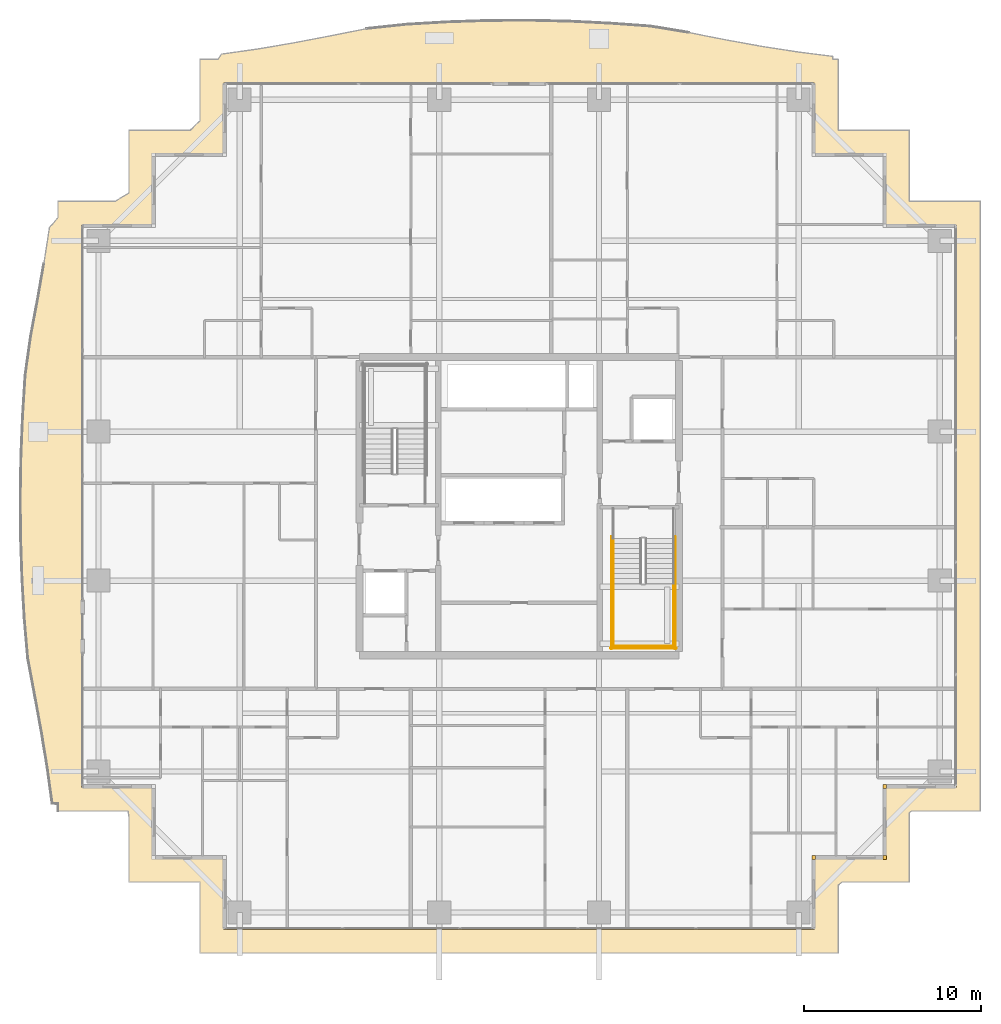
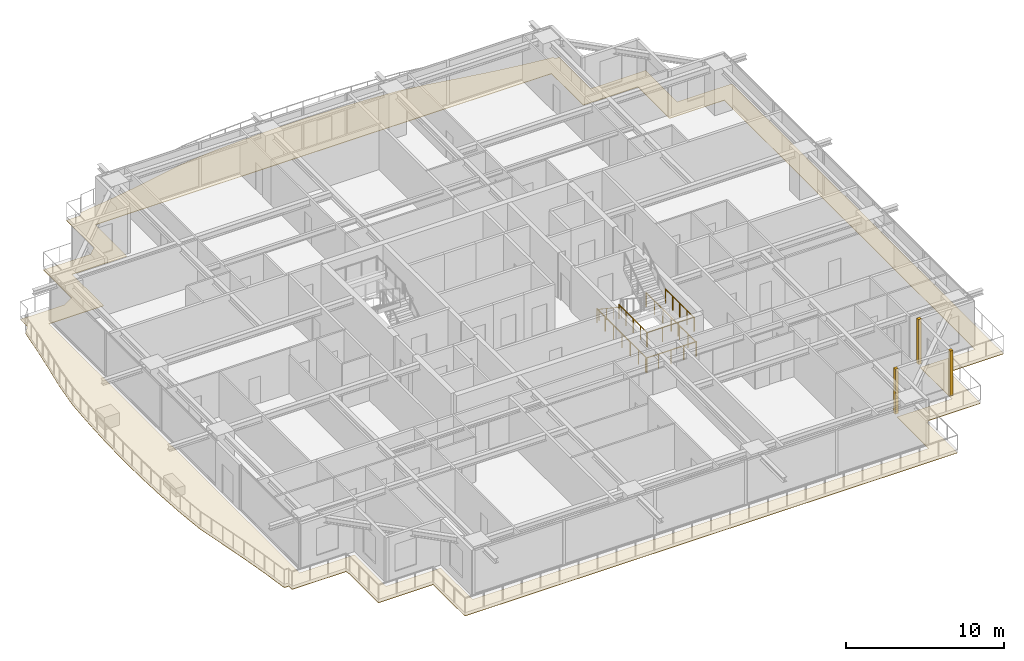
# One storey, part 36 of 38: 7 railings, 4 coverings.
"""IFC4 building model written with IfcOpenShell, lengths in metres."""

from ifc_helpers import new_model, si_unit, direction, frame, origin, origin_2d, place, context, subcontext, project, spatial, polyline, rectangle, circle, outline, extrude, source, transform, mapped, material, layer, layer_set, type_object, element, save


model = new_model("IFC4")

# Units and contexts
model_context = context("Model", 3, precision=1e-05, world=origin(), true_north=direction((0.0, 1.0)))
body_context = subcontext(model_context, "Body", "Model", "MODEL_VIEW")
ifc_project = project(units=[si_unit("LENGTHUNIT", "METRE"), si_unit("AREAUNIT", "SQUARE_METRE"), si_unit("VOLUMEUNIT", "CUBIC_METRE"), si_unit("PLANEANGLEUNIT", "RADIAN"), si_unit("MASSUNIT", "GRAM", prefix="KILO")], contexts=[model_context])

# Site, building, storey
site_placement = place(None, origin())
site = spatial("IfcSite", under=ifc_project, at=site_placement, CompositionType="ELEMENT")
building_placement = place(site_placement, origin())
building = spatial("IfcBuilding", under=site, at=building_placement, Name="Serunith Strait Residences", CompositionType="ELEMENT")
storey_placement = place(building_placement, frame((0.0, 0.0, 183.89990234375)))
storey = spatial("IfcBuildingStorey", under=building, at=storey_placement, Name="L46", CompositionType="ELEMENT", Elevation=183.89990234375)

# Covering
ifc_material_1 = material(Name="Golden Teak Exterior Timber Boarding", Category="wood")
ifc_layer_1 = layer(ifc_material_1, 0.034912109375, Name="Golden Teak Exterior Timber Boarding")
ifc_layer_set_1 = layer_set([ifc_layer_1], Name="Golden Teak Exterior Timber Boarding")
covering_type_1 = type_object("IfcCoveringType", Name="COV-TEAK-SOFFIT", PredefinedType="CEILING", material=ifc_layer_set_1)
covering_placement = place(storey_placement, frame((0.0, 0.0, -0.324951171875)))
element("IfcCovering", 1, at=covering_placement, inside=storey, type_object=covering_type_1, Name="L46 Golden-Teak Balcony Soffit Lining", PredefinedType="CEILING", context=body_context, shape_type="SweptSolid", body=[
    extrude(outline(polyline([(6.419921875, 8.02001953125), (6.419921875, 8.428955078125), (6.095458984375, 8.44775390625), (5.81884765625, 10.45068359375), (5.48828125, 12.473388671875), (5.11328125, 14.532958984375), (4.716796875, 16.6474609375), (4.5234375, 18.873046875), (4.396728515625, 21.139892578125), (4.319580078125, 23.4306640625), (4.29931640625, 25.733154296875), (4.337890625, 28.03271484375), (4.431884765625, 30.316162109375), (4.572021484375, 32.57177734375), (4.874755859375, 34.748046875), (5.265625, 36.8369140625), (5.6240234375, 38.878173828125), (5.9326171875, 40.890380859375), (6.419921875, 41.4619140625), (6.419921875, 42.3798828125), (9.64501953125, 42.3798828125), (10.419921875, 42.843505859375), (10.419921875, 46.3798828125), (13.869140625, 46.3798828125), (14.419921875, 46.910888671875), (14.419921875, 50.3798828125), (15.426513671875, 50.3798828125), (15.6337890625, 50.67041015625), (17.630859375, 50.951416015625), (19.646240234375, 51.292236328125), (21.698486328125, 51.684814453125), (23.808349609375, 52.10546875), (26.032958984375, 52.341064453125), (28.3125, 52.47607421875), (30.618408203125, 52.554443359375), (32.9365234375, 52.56787109375), (35.25, 52.514892578125), (37.543212890625, 52.401611328125), (39.803466796875, 52.23876953125), (41.96728515625, 51.883544921875), (44.0458984375, 51.472412109375), (46.07763671875, 51.10400390625), (48.082275390625, 50.79345703125), (50.075927734375, 50.54248046875), (50.074462890625, 50.3798828125), (50.3798828125, 50.3798828125), (50.3798828125, 46.3798828125), (54.3798828125, 46.3798828125), (54.3798828125, 42.3798828125), (58.3798828125, 42.3798828125), (58.3798828125, 8.02001953125), (54.51513671875, 8.02001953125), (54.3798828125, 7.921875), (54.3798828125, 4.02001953125), (50.601806640625, 4.02001953125), (50.3798828125, 3.8408203125), (50.3798828125, 0.02001953125), (14.419921875, 0.02001953125), (14.419921875, 4.02001953125), (10.419921875, 4.02001953125), (10.419921875, 7.667724609375), (10.3681640625, 8.02001953125), (6.419921875, 8.02001953125)]), holes=[polyline([(49.054931640625, 1.344970703125), (49.054931640625, 5.344970703125), (53.054931640625, 5.344970703125), (53.054931640625, 9.344970703125), (57.054931640625, 9.344970703125), (57.054931640625, 41.054931640625), (53.054931640625, 41.054931640625), (53.054931640625, 45.054931640625), (49.054931640625, 45.054931640625), (49.054931640625, 49.054931640625), (15.7451171875, 49.054931640625), (15.7451171875, 45.054931640625), (11.7451171875, 45.054931640625), (11.7451171875, 41.054931640625), (7.7451171875, 41.054931640625), (7.7451171875, 9.344970703125), (11.7451171875, 9.344970703125), (11.7451171875, 5.344970703125), (15.7451171875, 5.344970703125), (15.7451171875, 1.344970703125), (49.054931640625, 1.344970703125)])]), origin(), (0.0, 0.0, 1.0), 0.03515625),
])

# Railings
ifc_material_2 = material(Name="Brushed stainless steel 316L", Category="steel")
railing_type_1 = type_object("IfcRailingType", Name="RLG-STAIR-GUARD", PredefinedType="BALUSTRADE", material=ifc_material_2)
for number, where, name in (
    (2, (37.699951171875, 20.85009765625, 1.875), "L46 ST-2 stair guard 3"),
    (3, (41.10009765625, 20.85009765625, 1.875), "L46 ST-2 stair guard 4"),
):
    element("IfcRailing", number, at=place(storey_placement, frame(where)), inside=storey, type_object=railing_type_1, Name=name, PredefinedType="BALUSTRADE", context=body_context, shape_type="SweptSolid", body=[
        extrude(circle(Radius=0.02392578125, at=origin_2d()), frame((0.0, -0.001953125, 1.076171875), z_axis=(0.0, -1.0, 0.0), x_axis=(1.0, 0.0, 0.0)), (0.0, 0.0, 1.0), 3.59619140625),
        extrude(circle(Radius=0.02099609375, at=origin_2d()), origin(), (0.0, 0.0, 1.0), 1.050048828125),
        extrude(circle(Radius=0.02099609375, at=origin_2d()), frame((0.0, -0.89990234375, 0.0)), (0.0, 0.0, 1.0), 1.050048828125),
        extrude(circle(Radius=0.02099609375, at=origin_2d()), frame((0.0, -1.800048828125, 0.0)), (0.0, 0.0, 1.0), 1.050048828125),
        extrude(circle(Radius=0.02099609375, at=origin_2d()), frame((0.0, -2.7001953125, 0.0)), (0.0, 0.0, 1.0), 1.050048828125),
        extrude(circle(Radius=0.02099609375, at=origin_2d()), frame((0.0, -3.60009765625, 0.0)), (0.0, 0.0, 1.0), 1.050048828125),
    ])
railing_1_placement = place(storey_placement, frame((37.64990234375, 17.300048828125, 1.875)))
element("IfcRailing", 4, at=railing_1_placement, inside=storey, type_object=railing_type_1, Name="L46 ST-2 stair guard 5", PredefinedType="BALUSTRADE", context=body_context, shape_type="SweptSolid", body=[
    extrude(circle(Radius=0.02392578125, at=origin_2d()), frame((0.001953125, 0.0, 1.076171875), z_axis=(1.0, 0.0, 0.0), x_axis=(0.0, 1.0, 0.0)), (0.0, 0.0, 1.0), 3.49609375),
    extrude(circle(Radius=0.02099609375, at=origin_2d()), origin(), (0.0, 0.0, 1.0), 1.050048828125),
    extrude(circle(Radius=0.02099609375, at=origin_2d()), frame((1.166748046875, 0.0, 0.0)), (0.0, 0.0, 1.0), 1.050048828125),
    extrude(circle(Radius=0.02099609375, at=origin_2d()), frame((2.333251953125, 0.0, 0.0)), (0.0, 0.0, 1.0), 1.050048828125),
    extrude(circle(Radius=0.02099609375, at=origin_2d()), frame((3.5, 0.0, 0.0)), (0.0, 0.0, 1.0), 1.050048828125),
])
for number, where, name in (
    (5, (37.60009765625, 23.469970703125, 0.0), "L46 ST-2 stair guard 10"),
    (6, (41.199951171875, 23.469970703125, 0.0), "L46 ST-2 stair guard 11"),
):
    element("IfcRailing", number, at=place(storey_placement, frame(where)), inside=storey, type_object=railing_type_1, Name=name, PredefinedType="BALUSTRADE", context=body_context, shape_type="SweptSolid", body=[
        extrude(circle(Radius=0.02392578125, at=origin_2d()), frame((0.0, -0.001953125, 1.076171875), z_axis=(0.0, -1.0, 0.0), x_axis=(1.0, 0.0, 0.0)), (0.0, 0.0, 1.0), 6.316162109375),
        extrude(circle(Radius=0.02099609375, at=origin_2d()), origin(), (0.0, 0.0, 1.0), 1.050048828125),
        extrude(circle(Radius=0.02099609375, at=origin_2d()), frame((0.0, -1.05322265625, 0.0)), (0.0, 0.0, 1.0), 1.050048828125),
        extrude(circle(Radius=0.02099609375, at=origin_2d()), frame((0.0, -2.106689453125, 0.0)), (0.0, 0.0, 1.0), 1.050048828125),
        extrude(circle(Radius=0.02099609375, at=origin_2d()), frame((0.0, -3.16015625, 0.0)), (0.0, 0.0, 1.0), 1.050048828125),
        extrude(circle(Radius=0.02099609375, at=origin_2d()), frame((0.0, -4.21337890625, 0.0)), (0.0, 0.0, 1.0), 1.050048828125),
        extrude(circle(Radius=0.02099609375, at=origin_2d()), frame((0.0, -5.2666015625, 0.0)), (0.0, 0.0, 1.0), 1.050048828125),
        extrude(circle(Radius=0.02099609375, at=origin_2d()), frame((0.0, -6.320068359375, 0.0)), (0.0, 0.0, 1.0), 1.050048828125),
    ])
railing_2_placement = place(storey_placement, frame((37.550048828125, 17.199951171875, 0.0)))
element("IfcRailing", 7, at=railing_2_placement, inside=storey, type_object=railing_type_1, Name="L46 ST-2 stair guard 12", PredefinedType="BALUSTRADE", context=body_context, shape_type="SweptSolid", body=[
    extrude(circle(Radius=0.02392578125, at=origin_2d()), frame((0.001953125, 0.0, 1.076171875), z_axis=(1.0, 0.0, 0.0), x_axis=(0.0, 1.0, 0.0)), (0.0, 0.0, 1.0), 3.696044921875),
    extrude(circle(Radius=0.02099609375, at=origin_2d()), origin(), (0.0, 0.0, 1.0), 1.050048828125),
    extrude(circle(Radius=0.02099609375, at=origin_2d()), frame((0.925048828125, 0.0, 0.0)), (0.0, 0.0, 1.0), 1.050048828125),
    extrude(circle(Radius=0.02099609375, at=origin_2d()), frame((1.85009765625, 0.0, 0.0)), (0.0, 0.0, 1.0), 1.050048828125),
    extrude(circle(Radius=0.02099609375, at=origin_2d()), frame((2.77490234375, 0.0, 0.0)), (0.0, 0.0, 1.0), 1.050048828125),
    extrude(circle(Radius=0.02099609375, at=origin_2d()), frame((3.699951171875, 0.0, 0.0)), (0.0, 0.0, 1.0), 1.050048828125),
])
railing_type_2 = type_object("IfcRailingType", Name="RLG-STAIR-HR", PredefinedType="HANDRAIL", material=ifc_material_2)
railing_3_placement = place(storey_placement, frame((37.699951171875, 23.3701171875, 0.1875)))
element("IfcRailing", 8, at=railing_3_placement, inside=storey, type_object=railing_type_2, Name="L46 ST-2 stair handrail 1", PredefinedType="HANDRAIL", context=body_context, shape_type="SweptSolid", body=[
    extrude(circle(Radius=0.02392578125, at=origin_2d()), frame((0.0, -0.001708984375, 0.876953125), z_axis=(0.0, -0.830208209119, 0.557453432594), x_axis=(1.0, 0.0, 0.0)), (0.0, 0.0, 1.0), 3.36865234375),
    extrude(circle(Radius=0.02099609375, at=origin_2d()), origin(), (0.0, 0.0, 1.0), 0.849853515625),
    extrude(circle(Radius=0.02099609375, at=origin_2d()), frame((0.0, -0.933349609375, 0.626708984375)), (0.0, 0.0, 1.0), 0.849853515625),
    extrude(circle(Radius=0.02099609375, at=origin_2d()), frame((0.0, -1.86669921875, 1.25341796875)), (0.0, 0.0, 1.0), 0.849853515625),
    extrude(circle(Radius=0.02099609375, at=origin_2d()), frame((0.0, -2.800048828125, 1.880126953125)), (0.0, 0.0, 1.0), 0.849853515625),
])

# Coverings
ifc_material_3 = material(Name="Pale-Champagne Anodised Aluminium", Category="aluminium")
ifc_layer_2 = layer(ifc_material_3, 0.219970703125, Name="Pale-Champagne Anodised Aluminium")
ifc_layer_set_2 = layer_set([ifc_layer_2], Name="Pale-Champagne Anodised Aluminium")
covering_type_2 = type_object("IfcCoveringType", Name="COV-CORN-TRIM", PredefinedType="CLADDING", material=ifc_layer_set_2)
shared_shape = source(origin(), body_context, "Body", "SweptSolid", [
    extrude(rectangle(XDim=0.221923828125, YDim=0.221923828125, at=origin_2d()), origin(), (0.0, 0.0, 1.0), 3.47509765625),
])
for number, where, z_axis, x_axis, name in (
    (9, (49.0, 5.39990234375, 0.0), (0.0, 0.0, 1.0), (1.0, 0.0, 0.0), "L46 Girih Serrated Corner Trim Post 02"),
    (10, (53.0, 5.39990234375, 0.0), (0.0, 0.0, 1.0), (1.0, 0.0, 0.0), "L46 Girih Serrated Corner Trim Post 03"),
    (11, (53.0, 9.39990234375, 0.0), (0.0, 0.0, 1.0), (1.0, 0.0, 0.0), "L46 Girih Serrated Corner Trim Post 04"),
):
    element("IfcCovering", number, at=place(storey_placement, frame(where, z_axis=z_axis, x_axis=x_axis)), inside=storey, type_object=covering_type_2, Name=name, PredefinedType="CLADDING", context=body_context, shape_type="MappedRepresentation", body=[
        mapped(shared_shape, transform((0.0, 0.0, 0.0), scale=1.0)),
    ])

save(model, "model.ifc")
